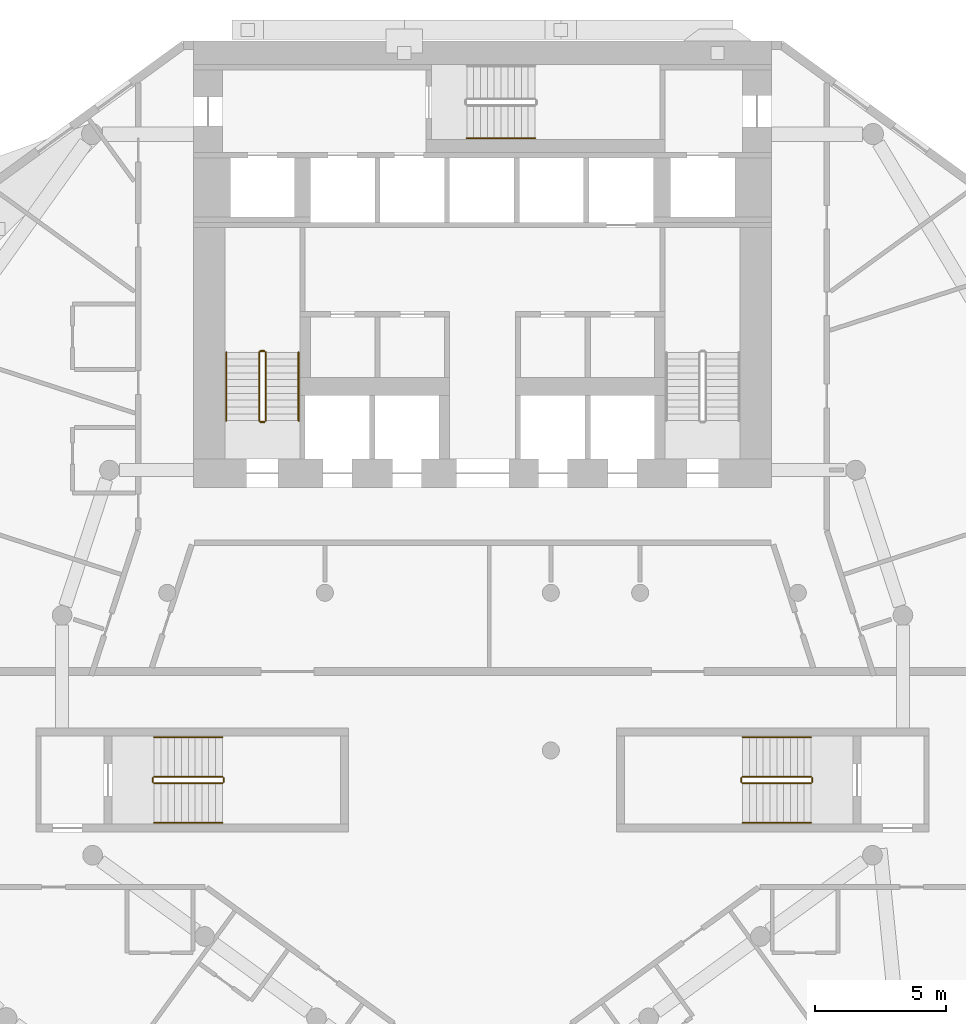
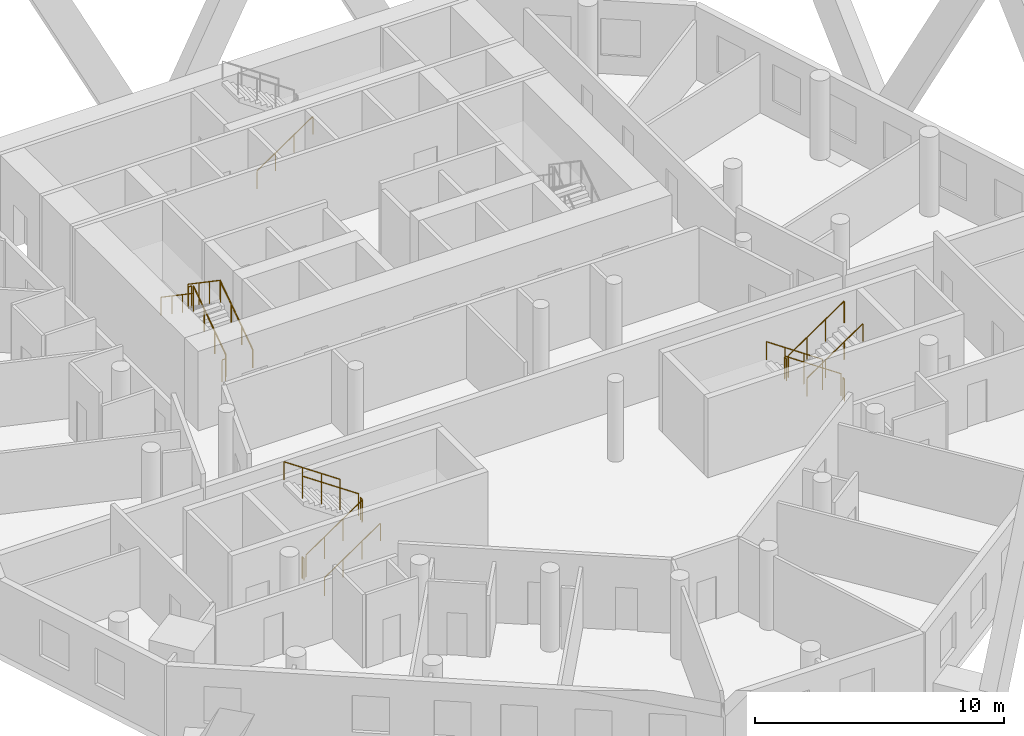
# One storey, part 9 of 10: 19 railings.
"""IFC4 building model written with IfcOpenShell, lengths in metres."""

import ifcopenshell
import ifcopenshell.guid

model = None  # the IFC model being written
_history = None  # IfcOwnerHistory: only IFC2X3 demands one
_inside = {}  # id of a spatial element -> (the spatial element, [elements in it])
_under = {}  # id of a project, library or spatial element -> (it, [spatial elements below it])
_declared = {}  # id of a project -> (the project, [libraries it declares])
_typed = {}  # id of a type object -> (the type object, [elements of that type])
_made_of = {}  # id of a material, layer set ... -> (it, [elements and type objects made of it])


def new_model(schema):
    """Start an empty IFC model of exactly this schema.

    Asked for "IFC4X3", IfcOpenShell would pick the latest addendum, in which some entities
    have other attributes; the version numbers below select the first issue.
    IFC2X3 requires an IfcOwnerHistory on every rooted entity: one is made here for all.
    """
    global model, _history
    if schema == "IFC4X3":
        model = ifcopenshell.file(schema_version=(4, 3, 0, 0))
    else:
        model = ifcopenshell.file(schema=schema)
    _inside.clear()
    _under.clear()
    _declared.clear()
    _typed.clear()
    _made_of.clear()
    _history = None
    if model.schema == "IFC2X3":
        org = make("IfcOrganization", Name="unknown")
        user = make(
            "IfcPersonAndOrganization",
            ThePerson=make("IfcPerson", FamilyName="unknown"),
            TheOrganization=org,
        )
        app = make(
            "IfcApplication",
            ApplicationDeveloper=org,
            Version="unknown",
            ApplicationFullName="unknown",
            ApplicationIdentifier="unknown",
        )
        _history = make(
            "IfcOwnerHistory",
            OwningUser=user,
            OwningApplication=app,
            ChangeAction="ADDED",
            CreationDate=0,
        )
    return model


def make(cls, **values):
    """One entity of the class cls with the attributes given. An attribute that is None is left unset."""
    return model.create_entity(
        cls, **{name: value for name, value in values.items() if value is not None}
    )


def rooted(cls, **values):
    """An entity with a GlobalId (a new one), such as an element, a storey or a relation."""
    return make(cls, GlobalId=ifcopenshell.guid.new(), OwnerHistory=_history, **values)


def si_unit(unit_type, name, prefix=None):
    """IfcSIUnit, for example si_unit("LENGTHUNIT", "METRE", prefix="MILLI")."""
    return make("IfcSIUnit", UnitType=unit_type, Prefix=prefix, Name=name)


def assignment(units):
    """IfcUnitAssignment: the units of a project."""
    return None if units is None else make("IfcUnitAssignment", Units=units)


def point(xyz):
    """IfcCartesianPoint."""
    return None if xyz is None else make("IfcCartesianPoint", Coordinates=xyz)


def direction(xyz):
    """IfcDirection."""
    return None if xyz is None else make("IfcDirection", DirectionRatios=xyz)


def frame(location, z_axis=None, x_axis=None):
    """IfcAxis2Placement3D, a coordinate frame: its origin and axes. An axis left out is left unset."""
    return make(
        "IfcAxis2Placement3D",
        Location=point(location),
        Axis=direction(z_axis),
        RefDirection=direction(x_axis),
    )


def frame_2d(location, x_axis=None):
    """IfcAxis2Placement2D, a coordinate frame in the plane: its origin and x axis."""
    return make(
        "IfcAxis2Placement2D", Location=point(location), RefDirection=direction(x_axis)
    )


def origin():
    """The frame at (0, 0, 0) with its axes left unset."""
    return frame((0.0, 0.0, 0.0))


def origin_2d():
    """The frame at (0, 0) in the plane with its x axis left unset."""
    return frame_2d((0.0, 0.0))


def place(relative_to, where):
    """IfcLocalPlacement: puts the frame where relative to a parent placement (None: the world)."""
    return make(
        "IfcLocalPlacement", PlacementRelTo=relative_to, RelativePlacement=where
    )


def context(
    kind, dimensions, precision=None, world=None, true_north=None, identifier=None
):
    """IfcGeometricRepresentationContext, for example the 3D "Model" context."""
    return make(
        "IfcGeometricRepresentationContext",
        ContextIdentifier=identifier,
        ContextType=kind,
        CoordinateSpaceDimension=dimensions,
        Precision=precision,
        WorldCoordinateSystem=world,
        TrueNorth=true_north,
    )


def subcontext(parent, identifier, kind, view, scale=None):
    """IfcGeometricRepresentationSubContext, for example "Body" below "Model"."""
    return make(
        "IfcGeometricRepresentationSubContext",
        ContextIdentifier=identifier,
        ContextType=kind,
        ParentContext=parent,
        TargetScale=scale,
        TargetView=view,
    )


def project(units=None, contexts=None):
    """IfcProject with its units and contexts."""
    return rooted(
        "IfcProject",
        Name="project",
        RepresentationContexts=contexts,
        UnitsInContext=assignment(units),
    )


def spatial(cls, under=None, at=None, **own):
    """A site, building, storey or space (cls), placed at a placement, below another one or the project."""
    s = rooted(cls, ObjectPlacement=at, **own)
    if under is not None:
        _under.setdefault(under.id(), (under, []))[1].append(s)
    return s


def profile(cls, at=None, kind="AREA", **sizes):
    """A parametric profile (cls). Its sizes go by their IFC names, for example OverallWidth=200.0."""
    return make(cls, ProfileType=kind, Position=at, **sizes)


def circle(**sizes):
    """IfcCircleProfileDef."""
    return profile("IfcCircleProfileDef", **sizes)


def extrude(swept, where, along, depth):
    """IfcExtrudedAreaSolid: the profile swept, set in the frame where, extruded along a direction by depth."""
    return make(
        "IfcExtrudedAreaSolid",
        SweptArea=swept,
        Position=where,
        ExtrudedDirection=direction(along),
        Depth=depth,
    )


def shape(context_of_items, identifier, shape_type, items):
    """IfcShapeRepresentation: the items that make up one representation, for example the "Body"."""
    return make(
        "IfcShapeRepresentation",
        ContextOfItems=context_of_items,
        RepresentationIdentifier=identifier,
        RepresentationType=shape_type,
        Items=items,
    )


def material(Name=None, Category=None):
    """IfcMaterial."""
    return make("IfcMaterial", Name=Name, Category=Category)


def made_of(thing, what):
    """Note that an element or type object is made of a material, layer set ...; save() writes the relation."""
    if what is not None:
        _made_of.setdefault(what.id(), (what, []))[1].append(thing)
    return thing


def type_object(cls, material=None, **own):
    """A type object (cls), such as IfcWallType, which elements share."""
    return made_of(rooted(cls, **own), material)


def element(
    cls,
    number,
    at=None,
    inside=None,
    cuts=None,
    type_object=None,
    material=None,
    context=None,
    identifier="Body",
    shape_type=None,
    held_by="IfcProductDefinitionShape",
    body=None,
    shapes=None,
    **own,
):
    """One element of the class cls, such as IfcWall. Its Tag is "e" and its number.

    at: its placement. inside: the storey or other place that contains it. cuts: it is an
    opening in that element (IfcRelVoidsElement). A single representation is given by context,
    identifier, shape_type and body (its items); several are given by shapes. held_by: the class
    of the entity that holds the representations. save() writes the other relations.
    """
    e = rooted(cls, Tag="e%d" % number, ObjectPlacement=at, **own)
    if body is not None:
        shapes = [shape(context, identifier, shape_type, body)]
    if shapes is not None:
        e.Representation = make(held_by, Representations=shapes)
    if inside is not None:
        _inside.setdefault(inside.id(), (inside, []))[1].append(e)
    if cuts is not None:
        rooted(
            "IfcRelVoidsElement", RelatingBuildingElement=cuts, RelatedOpeningElement=e
        )
    if type_object is not None:
        _typed.setdefault(type_object.id(), (type_object, []))[1].append(e)
    return made_of(e, material)


def aggregate(whole, parts):
    """IfcRelAggregates: a whole, such as a stair, and the parts it consists of."""
    return rooted("IfcRelAggregates", RelatingObject=whole, RelatedObjects=parts)


def save(model, path):
    """Write the relations noted so far, then the file.

    IfcRelAggregates (storeys below a building ...), IfcRelContainedInSpatialStructure (elements
    in a storey), IfcRelDefinesByType, IfcRelAssociatesMaterial and IfcRelDeclares: one each for
    every whole, place, type object, material and project.
    """
    for whole, parts in _under.values():
        aggregate(whole, parts)
    for where, things in _inside.values():
        rooted(
            "IfcRelContainedInSpatialStructure",
            RelatedElements=things,
            RelatingStructure=where,
        )
    for kind, things in _typed.values():
        rooted("IfcRelDefinesByType", RelatedObjects=things, RelatingType=kind)
    for what, things in _made_of.values():
        rooted("IfcRelAssociatesMaterial", RelatedObjects=things, RelatingMaterial=what)
    for by, libraries in _declared.values():
        rooted("IfcRelDeclares", RelatingContext=by, RelatedDefinitions=libraries)
    model.write(path)


model = new_model("IFC4")

# Units and contexts
model_context = context("Model", 3, precision=1e-05, world=origin(), true_north=direction((0.0, 1.0)))
body_context = subcontext(model_context, "Body", "Model", "MODEL_VIEW")
ifc_project = project(units=[si_unit("LENGTHUNIT", "METRE"), si_unit("AREAUNIT", "SQUARE_METRE"), si_unit("VOLUMEUNIT", "CUBIC_METRE"), si_unit("PLANEANGLEUNIT", "RADIAN"), si_unit("MASSUNIT", "GRAM", prefix="KILO")], contexts=[model_context])

# Site, building, storey
site_placement = place(None, origin())
site = spatial("IfcSite", under=ifc_project, at=site_placement, CompositionType="ELEMENT")
building_placement = place(site_placement, origin())
building = spatial("IfcBuilding", under=site, at=building_placement, Name="White Candle Pilgrim Tower", CompositionType="ELEMENT")
storey_placement = place(building_placement, frame((0.0, 0.0, 114.199951171875)))
storey = spatial("IfcBuildingStorey", under=building, at=storey_placement, Name="L25", CompositionType="ELEMENT", Elevation=114.199951171875)

# Railings
ifc_material = material(Name="Stainless steel", Category="steel")
railing_type_1 = type_object("IfcRailingType", Name="Stair guard stainless steel 1100 mm", PredefinedType="GUARDRAIL", material=ifc_material)
railing_1_placement = place(storey_placement, frame((61.75, 73.550048828125, 0.17724609375)))
element("IfcRailing", 1, at=railing_1_placement, inside=storey, type_object=railing_type_1, Name="L25 ST1 stair guard 1", PredefinedType="GUARDRAIL", context=body_context, shape_type="SweptSolid", body=[
    extrude(circle(Radius=0.02392578125, at=origin_2d()), frame((0.0, 0.0, 1.076171875), z_axis=(0.0, 0.826215852431, 0.563353676824), x_axis=(-1.0, 0.0, 0.0)), (0.0, 0.0, 1.0), 3.146728515625),
    extrude(circle(Radius=0.02099609375, at=origin_2d()), origin(), (0.0, 0.0, 1.0), 1.052001953125),
    extrude(circle(Radius=0.02099609375, at=origin_2d()), frame((0.0, 0.86669921875, 0.5908203125)), (0.0, 0.0, 1.0), 1.052001953125),
    extrude(circle(Radius=0.02099609375, at=origin_2d()), frame((0.0, 1.733154296875, 1.181884765625)), (0.0, 0.0, 1.0), 1.052001953125),
    extrude(circle(Radius=0.02099609375, at=origin_2d()), frame((0.0, 2.599853515625, 1.772705078125)), (0.0, 0.0, 1.0), 1.052001953125),
])
railing_2_placement = place(storey_placement, frame((61.699951171875, 76.199951171875, 1.949951171875)))
element("IfcRailing", 2, at=railing_2_placement, inside=storey, type_object=railing_type_1, Name="L25 ST1 stair guard 2", PredefinedType="GUARDRAIL", context=body_context, shape_type="SweptSolid", body=[
    extrude(circle(Radius=0.02392578125, at=origin_2d()), frame((0.0, 0.0, 1.076171875), z_axis=(-1.0, 0.0, 0.0), x_axis=(0.0, -1.0, 0.0)), (0.0, 0.0, 1.0), 0.14990234375),
    extrude(circle(Radius=0.02099609375, at=origin_2d()), origin(), (0.0, 0.0, 1.0), 1.052001953125),
    extrude(circle(Radius=0.02099609375, at=origin_2d()), frame((-0.14990234375, 0.0, 0.0)), (0.0, 0.0, 1.0), 1.052001953125),
])
railing_3_placement = place(storey_placement, frame((61.5, 76.14990234375, 2.12744140625)))
element("IfcRailing", 3, at=railing_3_placement, inside=storey, type_object=railing_type_1, Name="L25 ST1 stair guard 3", PredefinedType="GUARDRAIL", context=body_context, shape_type="SweptSolid", body=[
    extrude(circle(Radius=0.02392578125, at=origin_2d()), frame((0.0, 0.0, 1.076171875), z_axis=(0.0, -0.826215852431, 0.563353676824), x_axis=(1.0, 0.0, 0.0)), (0.0, 0.0, 1.0), 3.146728515625),
    extrude(circle(Radius=0.02099609375, at=origin_2d()), origin(), (0.0, 0.0, 1.0), 1.052001953125),
    extrude(circle(Radius=0.02099609375, at=origin_2d()), frame((0.0, -0.86669921875, 0.5908203125)), (0.0, 0.0, 1.0), 1.052001953125),
    extrude(circle(Radius=0.02099609375, at=origin_2d()), frame((0.0, -1.733154296875, 1.181884765625)), (0.0, 0.0, 1.0), 1.052001953125),
    extrude(circle(Radius=0.02099609375, at=origin_2d()), frame((0.0, -2.599853515625, 1.772705078125)), (0.0, 0.0, 1.0), 1.052001953125),
])
railing_4_placement = place(storey_placement, frame((61.699951171875, 73.5, 0.0)))
element("IfcRailing", 4, at=railing_4_placement, inside=storey, type_object=railing_type_1, Name="L25 ST1 stair guard 4", PredefinedType="GUARDRAIL", context=body_context, shape_type="SweptSolid", body=[
    extrude(circle(Radius=0.02392578125, at=origin_2d()), frame((0.0, 0.0, 1.076171875), z_axis=(-1.0, 0.0, 0.0), x_axis=(0.0, -1.0, 0.0)), (0.0, 0.0, 1.0), 0.14990234375),
    extrude(circle(Radius=0.02099609375, at=origin_2d()), origin(), (0.0, 0.0, 1.0), 1.052001953125),
    extrude(circle(Radius=0.02099609375, at=origin_2d()), frame((-0.14990234375, 0.0, 0.0)), (0.0, 0.0, 1.0), 1.052001953125),
])
railing_5_placement = place(storey_placement, frame((82.5, 60.0, 0.17724609375)))
element("IfcRailing", 5, at=railing_5_placement, inside=storey, type_object=railing_type_1, Name="L25 ST4 stair guard 1", PredefinedType="GUARDRAIL", context=body_context, shape_type="SweptSolid", body=[
    extrude(circle(Radius=0.02392578125, at=origin_2d()), frame((0.0, 0.0, 1.076171875), z_axis=(-0.826240473404, 0.0, 0.563317565952), x_axis=(0.0, -1.0, 0.0)), (0.0, 0.0, 1.0), 3.14697265625),
    extrude(circle(Radius=0.02099609375, at=origin_2d()), origin(), (0.0, 0.0, 1.0), 1.052001953125),
    extrude(circle(Radius=0.02099609375, at=origin_2d()), frame((-0.86669921875, 0.0, 0.5908203125)), (0.0, 0.0, 1.0), 1.052001953125),
    extrude(circle(Radius=0.02099609375, at=origin_2d()), frame((-1.7333984375, 0.0, 1.181884765625)), (0.0, 0.0, 1.0), 1.052001953125),
    extrude(circle(Radius=0.02099609375, at=origin_2d()), frame((-2.60009765625, 0.0, 1.772705078125)), (0.0, 0.0, 1.0), 1.052001953125),
])
railing_6_placement = place(storey_placement, frame((79.85009765625, 59.949951171875, 1.949951171875)))
element("IfcRailing", 6, at=railing_6_placement, inside=storey, type_object=railing_type_1, Name="L25 ST4 stair guard 2", PredefinedType="GUARDRAIL", context=body_context, shape_type="SweptSolid", body=[
    extrude(circle(Radius=0.02392578125, at=origin_2d()), frame((0.0, 0.0, 1.076171875), z_axis=(0.0, -1.0, 0.0), x_axis=(1.0, 0.0, 0.0)), (0.0, 0.0, 1.0), 0.14990234375),
    extrude(circle(Radius=0.02099609375, at=origin_2d()), origin(), (0.0, 0.0, 1.0), 1.052001953125),
    extrude(circle(Radius=0.02099609375, at=origin_2d()), frame((0.0, -0.14990234375, 0.0)), (0.0, 0.0, 1.0), 1.052001953125),
])
railing_7_placement = place(storey_placement, frame((79.89990234375, 59.75, 2.12744140625)))
element("IfcRailing", 7, at=railing_7_placement, inside=storey, type_object=railing_type_1, Name="L25 ST4 stair guard 3", PredefinedType="GUARDRAIL", context=body_context, shape_type="SweptSolid", body=[
    extrude(circle(Radius=0.02392578125, at=origin_2d()), frame((0.0, 0.0, 1.076171875), z_axis=(0.826240473404, 0.0, 0.563317565952), x_axis=(0.0, 1.0, 0.0)), (0.0, 0.0, 1.0), 3.14697265625),
    extrude(circle(Radius=0.02099609375, at=origin_2d()), origin(), (0.0, 0.0, 1.0), 1.052001953125),
    extrude(circle(Radius=0.02099609375, at=origin_2d()), frame((0.86669921875, 0.0, 0.5908203125)), (0.0, 0.0, 1.0), 1.052001953125),
    extrude(circle(Radius=0.02099609375, at=origin_2d()), frame((1.7333984375, 0.0, 1.181884765625)), (0.0, 0.0, 1.0), 1.052001953125),
    extrude(circle(Radius=0.02099609375, at=origin_2d()), frame((2.60009765625, 0.0, 1.772705078125)), (0.0, 0.0, 1.0), 1.052001953125),
])
railing_8_placement = place(storey_placement, frame((82.550048828125, 59.949951171875, 0.0)))
element("IfcRailing", 8, at=railing_8_placement, inside=storey, type_object=railing_type_1, Name="L25 ST4 stair guard 4", PredefinedType="GUARDRAIL", context=body_context, shape_type="SweptSolid", body=[
    extrude(circle(Radius=0.02392578125, at=origin_2d()), frame((0.0, 0.0, 1.076171875), z_axis=(0.0, -1.0, 0.0), x_axis=(1.0, 0.0, 0.0)), (0.0, 0.0, 1.0), 0.14990234375),
    extrude(circle(Radius=0.02099609375, at=origin_2d()), origin(), (0.0, 0.0, 1.0), 1.052001953125),
    extrude(circle(Radius=0.02099609375, at=origin_2d()), frame((0.0, -0.14990234375, 0.0)), (0.0, 0.0, 1.0), 1.052001953125),
])
railing_9_placement = place(storey_placement, frame((57.5, 59.75, 0.17724609375)))
element("IfcRailing", 9, at=railing_9_placement, inside=storey, type_object=railing_type_1, Name="L25 ST5 stair guard 1", PredefinedType="GUARDRAIL", context=body_context, shape_type="SweptSolid", body=[
    extrude(circle(Radius=0.02392578125, at=origin_2d()), frame((0.0, 0.0, 1.076171875), z_axis=(0.826240473404, 0.0, 0.563317565952), x_axis=(0.0, 1.0, 0.0)), (0.0, 0.0, 1.0), 3.14697265625),
    extrude(circle(Radius=0.02099609375, at=origin_2d()), origin(), (0.0, 0.0, 1.0), 1.052001953125),
    extrude(circle(Radius=0.02099609375, at=origin_2d()), frame((0.86669921875, 0.0, 0.5908203125)), (0.0, 0.0, 1.0), 1.052001953125),
    extrude(circle(Radius=0.02099609375, at=origin_2d()), frame((1.7333984375, 0.0, 1.181884765625)), (0.0, 0.0, 1.0), 1.052001953125),
    extrude(circle(Radius=0.02099609375, at=origin_2d()), frame((2.60009765625, 0.0, 1.772705078125)), (0.0, 0.0, 1.0), 1.052001953125),
])
railing_10_placement = place(storey_placement, frame((60.14990234375, 59.800048828125, 1.949951171875)))
element("IfcRailing", 10, at=railing_10_placement, inside=storey, type_object=railing_type_1, Name="L25 ST5 stair guard 2", PredefinedType="GUARDRAIL", context=body_context, shape_type="SweptSolid", body=[
    extrude(circle(Radius=0.02392578125, at=origin_2d()), frame((0.0, 0.0, 1.076171875), z_axis=(0.0, 1.0, 0.0), x_axis=(-1.0, 0.0, 0.0)), (0.0, 0.0, 1.0), 0.14990234375),
    extrude(circle(Radius=0.02099609375, at=origin_2d()), origin(), (0.0, 0.0, 1.0), 1.052001953125),
    extrude(circle(Radius=0.02099609375, at=origin_2d()), frame((0.0, 0.14990234375, 0.0)), (0.0, 0.0, 1.0), 1.052001953125),
])
railing_11_placement = place(storey_placement, frame((60.10009765625, 60.0, 2.12744140625)))
element("IfcRailing", 11, at=railing_11_placement, inside=storey, type_object=railing_type_1, Name="L25 ST5 stair guard 3", PredefinedType="GUARDRAIL", context=body_context, shape_type="SweptSolid", body=[
    extrude(circle(Radius=0.02392578125, at=origin_2d()), frame((0.0, 0.0, 1.076171875), z_axis=(-0.826240473404, 0.0, 0.563317565952), x_axis=(0.0, -1.0, 0.0)), (0.0, 0.0, 1.0), 3.14697265625),
    extrude(circle(Radius=0.02099609375, at=origin_2d()), origin(), (0.0, 0.0, 1.0), 1.052001953125),
    extrude(circle(Radius=0.02099609375, at=origin_2d()), frame((-0.86669921875, 0.0, 0.5908203125)), (0.0, 0.0, 1.0), 1.052001953125),
    extrude(circle(Radius=0.02099609375, at=origin_2d()), frame((-1.7333984375, 0.0, 1.181884765625)), (0.0, 0.0, 1.0), 1.052001953125),
    extrude(circle(Radius=0.02099609375, at=origin_2d()), frame((-2.60009765625, 0.0, 1.772705078125)), (0.0, 0.0, 1.0), 1.052001953125),
])
railing_12_placement = place(storey_placement, frame((57.449951171875, 59.800048828125, 0.0)))
element("IfcRailing", 12, at=railing_12_placement, inside=storey, type_object=railing_type_1, Name="L25 ST5 stair guard 4", PredefinedType="GUARDRAIL", context=body_context, shape_type="SweptSolid", body=[
    extrude(circle(Radius=0.02392578125, at=origin_2d()), frame((0.0, 0.0, 1.076171875), z_axis=(0.0, 1.0, 0.0), x_axis=(-1.0, 0.0, 0.0)), (0.0, 0.0, 1.0), 0.14990234375),
    extrude(circle(Radius=0.02099609375, at=origin_2d()), origin(), (0.0, 0.0, 1.0), 1.052001953125),
    extrude(circle(Radius=0.02099609375, at=origin_2d()), frame((0.0, 0.14990234375, 0.0)), (0.0, 0.0, 1.0), 1.052001953125),
])
railing_type_2 = type_object("IfcRailingType", Name="Stair handrail stainless steel", PredefinedType="HANDRAIL", material=ifc_material)
railing_13_placement = place(storey_placement, frame((63.0, 73.550048828125, 0.17724609375)))
element("IfcRailing", 13, at=railing_13_placement, inside=storey, type_object=railing_type_2, Name="L25 ST1 stair handrail 1", PredefinedType="HANDRAIL", context=body_context, shape_type="SweptSolid", body=[
    extrude(circle(Radius=0.02392578125, at=origin_2d()), frame((0.0, 0.0, 0.8759765625), z_axis=(0.0, 0.826215852431, 0.563353676824), x_axis=(-1.0, 0.0, 0.0)), (0.0, 0.0, 1.0), 3.146728515625),
    extrude(circle(Radius=0.02099609375, at=origin_2d()), origin(), (0.0, 0.0, 1.0), 0.851806640625),
    extrude(circle(Radius=0.02099609375, at=origin_2d()), frame((0.0, 0.86669921875, 0.5908203125)), (0.0, 0.0, 1.0), 0.851806640625),
    extrude(circle(Radius=0.02099609375, at=origin_2d()), frame((0.0, 1.733154296875, 1.181884765625)), (0.0, 0.0, 1.0), 0.851806640625),
    extrude(circle(Radius=0.02099609375, at=origin_2d()), frame((0.0, 2.599853515625, 1.772705078125)), (0.0, 0.0, 1.0), 0.851806640625),
])
railing_14_placement = place(storey_placement, frame((60.25, 76.14990234375, 2.12744140625)))
element("IfcRailing", 14, at=railing_14_placement, inside=storey, type_object=railing_type_2, Name="L25 ST1 stair handrail 2", PredefinedType="HANDRAIL", context=body_context, shape_type="SweptSolid", body=[
    extrude(circle(Radius=0.02392578125, at=origin_2d()), frame((0.0, 0.0, 0.8759765625), z_axis=(0.0, -0.826215852431, 0.563353676824), x_axis=(1.0, 0.0, 0.0)), (0.0, 0.0, 1.0), 3.146728515625),
    extrude(circle(Radius=0.02099609375, at=origin_2d()), origin(), (0.0, 0.0, 1.0), 0.851806640625),
    extrude(circle(Radius=0.02099609375, at=origin_2d()), frame((0.0, -0.86669921875, 0.5908203125)), (0.0, 0.0, 1.0), 0.851806640625),
    extrude(circle(Radius=0.02099609375, at=origin_2d()), frame((0.0, -1.733154296875, 1.181884765625)), (0.0, 0.0, 1.0), 0.851806640625),
    extrude(circle(Radius=0.02099609375, at=origin_2d()), frame((0.0, -2.599853515625, 1.772705078125)), (0.0, 0.0, 1.0), 0.851806640625),
])
railing_15_placement = place(storey_placement, frame((69.39990234375, 84.300048828125, 0.17724609375)))
element("IfcRailing", 15, at=railing_15_placement, inside=storey, type_object=railing_type_2, Name="L25 ST3 stair handrail 1", PredefinedType="HANDRAIL", context=body_context, shape_type="SweptSolid", body=[
    extrude(circle(Radius=0.02392578125, at=origin_2d()), frame((0.0, 0.0, 0.8759765625), z_axis=(0.826240473404, 0.0, 0.563317565952), x_axis=(0.0, 1.0, 0.0)), (0.0, 0.0, 1.0), 3.14697265625),
    extrude(circle(Radius=0.02099609375, at=origin_2d()), origin(), (0.0, 0.0, 1.0), 0.851806640625),
    extrude(circle(Radius=0.02099609375, at=origin_2d()), frame((0.86669921875, 0.0, 0.5908203125)), (0.0, 0.0, 1.0), 0.851806640625),
    extrude(circle(Radius=0.02099609375, at=origin_2d()), frame((1.7333984375, 0.0, 1.181884765625)), (0.0, 0.0, 1.0), 0.851806640625),
    extrude(circle(Radius=0.02099609375, at=origin_2d()), frame((2.60009765625, 0.0, 1.772705078125)), (0.0, 0.0, 1.0), 0.851806640625),
])
railing_16_placement = place(storey_placement, frame((82.5, 61.5, 0.17724609375)))
element("IfcRailing", 16, at=railing_16_placement, inside=storey, type_object=railing_type_2, Name="L25 ST4 stair handrail 1", PredefinedType="HANDRAIL", context=body_context, shape_type="SweptSolid", body=[
    extrude(circle(Radius=0.02392578125, at=origin_2d()), frame((0.0, 0.0, 0.8759765625), z_axis=(-0.826240473404, 0.0, 0.563317565952), x_axis=(0.0, -1.0, 0.0)), (0.0, 0.0, 1.0), 3.14697265625),
    extrude(circle(Radius=0.02099609375, at=origin_2d()), origin(), (0.0, 0.0, 1.0), 0.851806640625),
    extrude(circle(Radius=0.02099609375, at=origin_2d()), frame((-0.86669921875, 0.0, 0.5908203125)), (0.0, 0.0, 1.0), 0.851806640625),
    extrude(circle(Radius=0.02099609375, at=origin_2d()), frame((-1.7333984375, 0.0, 1.181884765625)), (0.0, 0.0, 1.0), 0.851806640625),
    extrude(circle(Radius=0.02099609375, at=origin_2d()), frame((-2.60009765625, 0.0, 1.772705078125)), (0.0, 0.0, 1.0), 0.851806640625),
])
for number, where, name in (
    (17, (79.89990234375, 58.25, 2.12744140625), "L25 ST4 stair handrail 2"),
    (18, (57.5, 58.25, 0.17724609375), "L25 ST5 stair handrail 1"),
):
    element("IfcRailing", number, at=place(storey_placement, frame(where)), inside=storey, type_object=railing_type_2, Name=name, PredefinedType="HANDRAIL", context=body_context, shape_type="SweptSolid", body=[
        extrude(circle(Radius=0.02392578125, at=origin_2d()), frame((0.0, 0.0, 0.8759765625), z_axis=(0.826240473404, 0.0, 0.563317565952), x_axis=(0.0, 1.0, 0.0)), (0.0, 0.0, 1.0), 3.14697265625),
        extrude(circle(Radius=0.02099609375, at=origin_2d()), origin(), (0.0, 0.0, 1.0), 0.851806640625),
        extrude(circle(Radius=0.02099609375, at=origin_2d()), frame((0.86669921875, 0.0, 0.5908203125)), (0.0, 0.0, 1.0), 0.851806640625),
        extrude(circle(Radius=0.02099609375, at=origin_2d()), frame((1.7333984375, 0.0, 1.181884765625)), (0.0, 0.0, 1.0), 0.851806640625),
        extrude(circle(Radius=0.02099609375, at=origin_2d()), frame((2.60009765625, 0.0, 1.772705078125)), (0.0, 0.0, 1.0), 0.851806640625),
    ])
railing_17_placement = place(storey_placement, frame((60.10009765625, 61.5, 2.12744140625)))
element("IfcRailing", 19, at=railing_17_placement, inside=storey, type_object=railing_type_2, Name="L25 ST5 stair handrail 2", PredefinedType="HANDRAIL", context=body_context, shape_type="SweptSolid", body=[
    extrude(circle(Radius=0.02392578125, at=origin_2d()), frame((0.0, 0.0, 0.8759765625), z_axis=(-0.826240473404, 0.0, 0.563317565952), x_axis=(0.0, -1.0, 0.0)), (0.0, 0.0, 1.0), 3.14697265625),
    extrude(circle(Radius=0.02099609375, at=origin_2d()), origin(), (0.0, 0.0, 1.0), 0.851806640625),
    extrude(circle(Radius=0.02099609375, at=origin_2d()), frame((-0.86669921875, 0.0, 0.5908203125)), (0.0, 0.0, 1.0), 0.851806640625),
    extrude(circle(Radius=0.02099609375, at=origin_2d()), frame((-1.7333984375, 0.0, 1.181884765625)), (0.0, 0.0, 1.0), 0.851806640625),
    extrude(circle(Radius=0.02099609375, at=origin_2d()), frame((-2.60009765625, 0.0, 1.772705078125)), (0.0, 0.0, 1.0), 0.851806640625),
])

save(model, "model.ifc")
